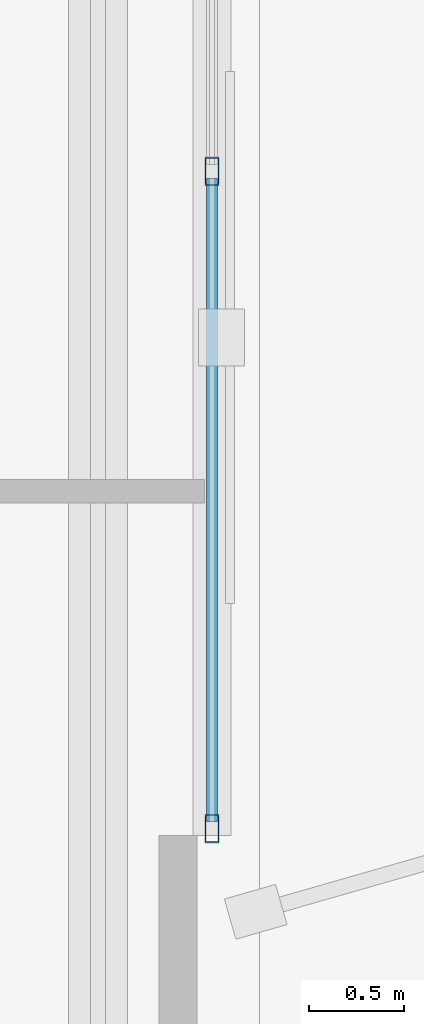
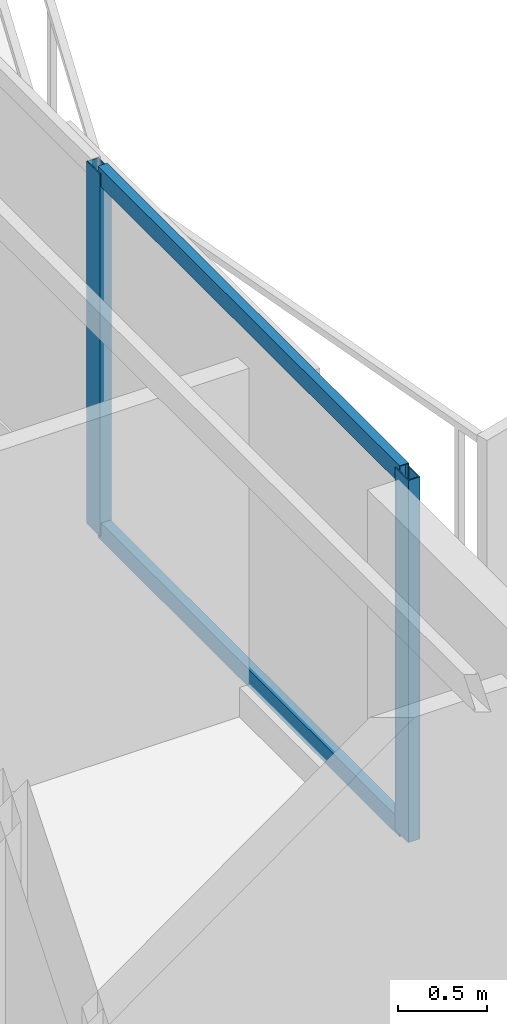
# One storey, part 7 of 18: 4 members, 1 element without a shape of its own.
"""IFC4 building model written with IfcOpenShell, lengths in metres."""

from ifc_helpers import new_model, si_unit, direction, frame, origin, origin_2d, place, context, subcontext, project, spatial, hollow_rectangle, extrude, material, layer, layer_set, material_profile, profile_set, type_object, element, aggregate, save


model = new_model("IFC4")

# Units and contexts
model_context = context("Model", 3, precision=1e-05, world=origin(), true_north=direction((0.0, 1.0)))
body_context = subcontext(model_context, "Body", "Model", "MODEL_VIEW")
ifc_project = project(units=[si_unit("LENGTHUNIT", "METRE"), si_unit("AREAUNIT", "SQUARE_METRE"), si_unit("VOLUMEUNIT", "CUBIC_METRE"), si_unit("PLANEANGLEUNIT", "RADIAN"), si_unit("MASSUNIT", "GRAM", prefix="KILO")], contexts=[model_context])

# Site, building, storey
site_placement = place(None, origin())
site = spatial("IfcSite", under=ifc_project, at=site_placement, CompositionType="ELEMENT")
building_placement = place(site_placement, origin())
building = spatial("IfcBuilding", under=site, at=building_placement, Name="Mersakhor Tower and Convention Hall", CompositionType="ELEMENT")
storey_placement = place(building_placement, frame((0.0, 0.0, 150.89990234375)))
storey = spatial("IfcBuildingStorey", under=building, at=storey_placement, Name="L42", CompositionType="ELEMENT", Elevation=150.89990234375)

# Curtain wall, members
ifc_material_1 = material(Name="Dark solar low-E aluminium curtain wall", Category="aluminium")
ifc_layer = layer(ifc_material_1, 0.169921875)
ifc_layer_set = layer_set([ifc_layer], Name="Dark solar low-E aluminium curtain wall")
curtain_wall_type = type_object("IfcCurtainWallType", Name="CW-SYS-02", PredefinedType="USERDEFINED", material=ifc_layer_set)
curtain_wall_placement = place(storey_placement, origin())
curtain_wall = element("IfcCurtainWall", 1, at=curtain_wall_placement, inside=storey, type_object=curtain_wall_type, Name="L42 Dark-Glass Curtain Wall F2-B2", ObjectType="CURTAIN WALL", PredefinedType="USERDEFINED")
ifc_material_2 = material(Name="Anodised aluminium EN AW-6063 T6", Category="aluminium")
ifc_material_profile_1 = material_profile(ifc_material_2, hollow_rectangle(XDim=0.074951171875, YDim=0.14990234375, WallThickness=0.00634765625, at=origin_2d()), Name="RHS 150x75x6.3")
ifc_profile_set_1 = profile_set([ifc_material_profile_1], Name="Anodised aluminium EN AW-6063 T6")
member_type_1 = type_object("IfcMemberType", Name="CWM-150x75", PredefinedType="MULLION", material=ifc_profile_set_1)
member_1_placement = place(storey_placement, frame((42.21923828125, 25.00244140625, 0.2001953125), z_axis=(0.0, 0.0, 1.0), x_axis=(1.0, 0.0, 0.0)))
member_1 = element("IfcMember", 2, at=member_1_placement, type_object=member_type_1, Name="CW-02 mullion 3", PredefinedType="MULLION", context=body_context, shape_type="SweptSolid", body=[
    extrude(hollow_rectangle(XDim=0.074951171875, YDim=0.14990234375, WallThickness=0.00634765625, at=origin_2d()), origin(), (0.0, 0.0, 1.0), 2.47998046875),
])
member_2_placement = place(storey_placement, frame((42.21923828125, 21.54443359375, 0.2001953125), z_axis=(0.0, 0.0, 1.0), x_axis=(1.0, 0.0, 0.0)))
member_2 = element("IfcMember", 3, at=member_2_placement, type_object=member_type_1, Name="CW-02 mullion 4", PredefinedType="MULLION", context=body_context, shape_type="SweptSolid", body=[
    extrude(hollow_rectangle(XDim=0.074951171875, YDim=0.14990234375, WallThickness=0.00634765625, at=origin_2d()), origin(), (0.0, 0.0, 1.0), 2.47998046875),
])
ifc_material_3 = material(Name="Anodised aluminium EN AW-6063 T6", Category="aluminium")
ifc_material_profile_2 = material_profile(ifc_material_3, hollow_rectangle(XDim=0.06005859375, YDim=0.1201171875, WallThickness=0.0048828125, at=origin_2d()), Name="RHS 120x60x5")
ifc_profile_set_2 = profile_set([ifc_material_profile_2], Name="Anodised aluminium EN AW-6063 T6")
member_type_2 = type_object("IfcMemberType", Name="CWT-120x60", PredefinedType="USERDEFINED", material=ifc_profile_set_2)
member_3_placement = place(storey_placement, frame((42.21923828125, 24.96484375, 0.22998046875), z_axis=(0.0, -1.0, 0.0), x_axis=(1.0, 0.0, 0.0)))
member_3 = element("IfcMember", 4, at=member_3_placement, type_object=member_type_2, Name="CW-02 transom 3.1", ObjectType="TRANSOM", PredefinedType="USERDEFINED", context=body_context, shape_type="SweptSolid", body=[
    extrude(hollow_rectangle(XDim=0.06005859375, YDim=0.1201171875, WallThickness=0.0048828125, at=origin_2d()), origin(), (0.0, 0.0, 1.0), 3.3828125),
])
member_4_placement = place(storey_placement, frame((42.21923828125, 24.96484375, 2.650146484375), z_axis=(0.0, -1.0, 0.0), x_axis=(1.0, 0.0, 0.0)))
member_4 = element("IfcMember", 5, at=member_4_placement, type_object=member_type_2, Name="CW-02 transom 3.2", ObjectType="TRANSOM", PredefinedType="USERDEFINED", context=body_context, shape_type="SweptSolid", body=[
    extrude(hollow_rectangle(XDim=0.06005859375, YDim=0.1201171875, WallThickness=0.0048828125, at=origin_2d()), origin(), (0.0, 0.0, 1.0), 3.3828125),
])
aggregate(curtain_wall, [member_1, member_2, member_3, member_4])

save(model, "model.ifc")
